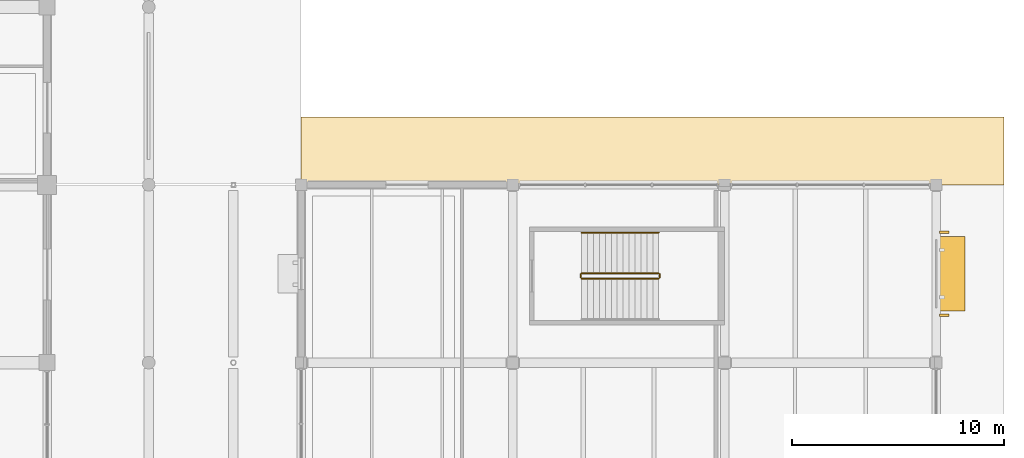
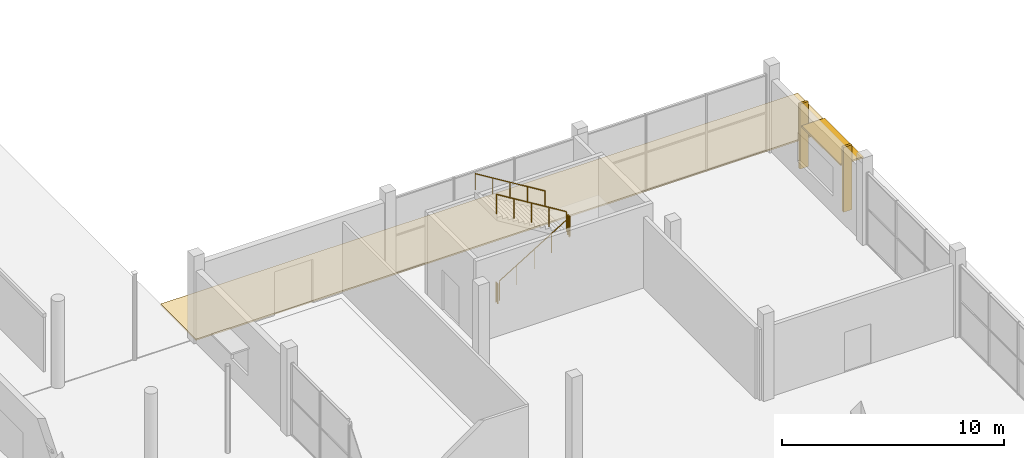
# One storey, part 127 of 130: 5 railings, 3 shading devices, 1 covering.
"""IFC4 building model written with IfcOpenShell, lengths in metres."""

from ifc_helpers import new_model, si_unit, direction, frame, origin, origin_2d, place, context, subcontext, project, spatial, polyline, rectangle, circle, outline, extrude, material, layer, layer_set, type_object, element, save


model = new_model("IFC4")

# Units and contexts
model_context = context("Model", 3, precision=1e-05, world=origin(), true_north=direction((0.0, 1.0)))
body_context = subcontext(model_context, "Body", "Model", "MODEL_VIEW")
ifc_project = project(units=[si_unit("LENGTHUNIT", "METRE"), si_unit("AREAUNIT", "SQUARE_METRE"), si_unit("VOLUMEUNIT", "CUBIC_METRE"), si_unit("PLANEANGLEUNIT", "RADIAN"), si_unit("MASSUNIT", "GRAM", prefix="KILO"), si_unit("THERMODYNAMICTEMPERATUREUNIT", "KELVIN")], contexts=[model_context])

# Site, building, storey
site_placement = place(None, origin())
site = spatial("IfcSite", under=ifc_project, at=site_placement, CompositionType="ELEMENT")
building_placement = place(site_placement, origin())
building = spatial("IfcBuilding", under=site, at=building_placement, Name="Nduvali Passage Aquatics Centre", CompositionType="ELEMENT")
storey_placement = place(building_placement, origin())
storey = spatial("IfcBuildingStorey", under=building, at=storey_placement, Name="L00", CompositionType="ELEMENT", Elevation=0.0)

# Shading devices
ifc_material_1 = material(Name="Glulam GL28h", Category="wood")
shading_device_type_1 = type_object("IfcShadingDeviceType", Name="ENV-SHD-FIN1", PredefinedType="USERDEFINED", material=ifc_material_1)
for number, where, z_axis, x_axis, name in (
    (1, (168.375, 86.237548828125, 0.2001953125), (0.0, 0.0, 1.0), (0.0, 1.0, 0.0), "L00 Vertical Glulam Facade Fin 0134"),
    (2, (168.375, 90.16259765625, 0.2001953125), (0.0, 0.0, 1.0), (0.0, 1.0, 0.0), "L00 Vertical Glulam Facade Fin 0135"),
):
    element("IfcShadingDevice", number, at=place(storey_placement, frame(where, z_axis=z_axis, x_axis=x_axis)), inside=storey, type_object=shading_device_type_1, Name=name, ObjectType="VERTICAL FIN", PredefinedType="USERDEFINED", context=body_context, shape_type="SweptSolid", body=[
        extrude(rectangle(XDim=0.1201171875, YDim=0.43994140625, at=origin_2d()), origin(), (0.0, 0.0, 1.0), 3.576416015625),
    ])
ifc_material_2 = material(Name="Aluminium EN AW-6063 T6", Category="aluminium")
ifc_layer_1 = layer(ifc_material_2, 0.090087890625, Name="Aluminium EN AW-6063 T6")
ifc_layer_set_1 = layer_set([ifc_layer_1], Name="Aluminium EN AW-6063 T6")
shading_device_type_2 = type_object("IfcShadingDeviceType", Name="ENV-SHD-SUN1", PredefinedType="AWNING", material=ifc_layer_set_1)
shading_device_placement = place(storey_placement, frame((168.75, 88.199951171875, 2.60498046875), z_axis=(0.0, 0.0, 1.0), x_axis=(0.0, 1.0, 0.0)))
element("IfcShadingDevice", 3, at=shading_device_placement, inside=storey, type_object=shading_device_type_2, Name="L00 Horizontal Monsoon Sunshade 0133", PredefinedType="AWNING", context=body_context, shape_type="SweptSolid", body=[
    extrude(rectangle(XDim=3.5, YDim=1.199951171875, at=origin_2d()), origin(), (0.0, 0.0, 1.0), 0.090087890625),
])

# Railings
ifc_material_3 = material(Name="Stainless steel balustrade", Category="steel")
railing_type_1 = type_object("IfcRailingType", Name="INT-RLG-GRD110", PredefinedType="GUARDRAIL", material=ifc_material_3)
railing_1_placement = place(storey_placement, frame((151.25, 87.969970703125, 0.17138671875)))
element("IfcRailing", 4, at=railing_1_placement, inside=storey, type_object=railing_type_1, Name="L00 ST8 stair guard 1", PredefinedType="GUARDRAIL", context=body_context, shape_type="SweptSolid", body=[
    extrude(circle(Radius=0.02392578125, at=origin_2d()), frame((0.0, 0.0, 1.076171875), z_axis=(0.852850264322, 0.0, 0.5221555579), x_axis=(0.0, 1.0, 0.0)), (0.0, 0.0, 1.0), 4.267822265625),
    extrude(circle(Radius=0.02099609375, at=origin_2d()), origin(), (0.0, 0.0, 1.0), 1.052001953125),
    extrude(circle(Radius=0.02099609375, at=origin_2d()), frame((0.909912109375, 0.0, 0.55712890625)), (0.0, 0.0, 1.0), 1.052001953125),
    extrude(circle(Radius=0.02099609375, at=origin_2d()), frame((1.81982421875, 0.0, 1.1142578125)), (0.0, 0.0, 1.0), 1.052001953125),
    extrude(circle(Radius=0.02099609375, at=origin_2d()), frame((2.72998046875, 0.0, 1.67138671875)), (0.0, 0.0, 1.0), 1.052001953125),
    extrude(circle(Radius=0.02099609375, at=origin_2d()), frame((3.639892578125, 0.0, 2.228515625)), (0.0, 0.0, 1.0), 1.052001953125),
])
railing_2_placement = place(storey_placement, frame((154.93994140625, 88.02001953125, 2.39990234375)))
element("IfcRailing", 5, at=railing_2_placement, inside=storey, type_object=railing_type_1, Name="L00 ST8 stair guard 2", PredefinedType="GUARDRAIL", context=body_context, shape_type="SweptSolid", body=[
    extrude(circle(Radius=0.02392578125, at=origin_2d()), frame((0.0, 0.0, 1.076171875), z_axis=(0.0, 1.0, 0.0), x_axis=(-1.0, 0.0, 0.0)), (0.0, 0.0, 1.0), 0.14990234375),
    extrude(circle(Radius=0.02099609375, at=origin_2d()), origin(), (0.0, 0.0, 1.0), 1.052001953125),
    extrude(circle(Radius=0.02099609375, at=origin_2d()), frame((0.0, 0.14990234375, 0.0)), (0.0, 0.0, 1.0), 1.052001953125),
])
railing_3_placement = place(storey_placement, frame((154.889892578125, 88.219970703125, 2.571533203125)))
element("IfcRailing", 6, at=railing_3_placement, inside=storey, type_object=railing_type_1, Name="L00 ST8 stair guard 3", PredefinedType="GUARDRAIL", context=body_context, shape_type="SweptSolid", body=[
    extrude(circle(Radius=0.02392578125, at=origin_2d()), frame((0.0, 0.0, 1.076171875), z_axis=(-0.852850264322, 0.0, 0.5221555579), x_axis=(0.0, -1.0, 0.0)), (0.0, 0.0, 1.0), 4.267822265625),
    extrude(circle(Radius=0.02099609375, at=origin_2d()), origin(), (0.0, 0.0, 1.0), 1.052001953125),
    extrude(circle(Radius=0.02099609375, at=origin_2d()), frame((-0.909912109375, 0.0, 0.55712890625)), (0.0, 0.0, 1.0), 1.052001953125),
    extrude(circle(Radius=0.02099609375, at=origin_2d()), frame((-1.81982421875, 0.0, 1.1142578125)), (0.0, 0.0, 1.0), 1.052001953125),
    extrude(circle(Radius=0.02099609375, at=origin_2d()), frame((-2.72998046875, 0.0, 1.67138671875)), (0.0, 0.0, 1.0), 1.052001953125),
    extrude(circle(Radius=0.02099609375, at=origin_2d()), frame((-3.639892578125, 0.0, 2.228515625)), (0.0, 0.0, 1.0), 1.052001953125),
])
railing_4_placement = place(storey_placement, frame((151.199951171875, 88.02001953125, 0.0)))
element("IfcRailing", 7, at=railing_4_placement, inside=storey, type_object=railing_type_1, Name="L00 ST8 stair guard 4", PredefinedType="GUARDRAIL", context=body_context, shape_type="SweptSolid", body=[
    extrude(circle(Radius=0.02392578125, at=origin_2d()), frame((0.0, 0.0, 1.076171875), z_axis=(0.0, 1.0, 0.0), x_axis=(-1.0, 0.0, 0.0)), (0.0, 0.0, 1.0), 0.14990234375),
    extrude(circle(Radius=0.02099609375, at=origin_2d()), origin(), (0.0, 0.0, 1.0), 1.052001953125),
    extrude(circle(Radius=0.02099609375, at=origin_2d()), frame((0.0, 0.14990234375, 0.0)), (0.0, 0.0, 1.0), 1.052001953125),
])
railing_type_2 = type_object("IfcRailingType", Name="INT-RLG-HND90", PredefinedType="HANDRAIL", material=ifc_material_3)
railing_5_placement = place(storey_placement, frame((154.889892578125, 90.139892578125, 2.746337890625)))
element("IfcRailing", 8, at=railing_5_placement, inside=storey, type_object=railing_type_2, Name="L00 ST8 stair handrail 2", PredefinedType="HANDRAIL", context=body_context, shape_type="SweptSolid", body=[
    extrude(circle(Radius=0.02392578125, at=origin_2d()), frame((0.0, 0.0, 0.8759765625), z_axis=(-0.852850264322, 0.0, 0.5221555579), x_axis=(0.0, -1.0, 0.0)), (0.0, 0.0, 1.0), 4.267822265625),
    extrude(circle(Radius=0.02099609375, at=origin_2d()), origin(), (0.0, 0.0, 1.0), 0.851806640625),
    extrude(circle(Radius=0.02099609375, at=origin_2d()), frame((-0.909912109375, 0.0, 0.55712890625)), (0.0, 0.0, 1.0), 0.851806640625),
    extrude(circle(Radius=0.02099609375, at=origin_2d()), frame((-1.81982421875, 0.0, 1.1142578125)), (0.0, 0.0, 1.0), 0.851806640625),
    extrude(circle(Radius=0.02099609375, at=origin_2d()), frame((-2.72998046875, 0.0, 1.67138671875)), (0.0, 0.0, 1.0), 0.851806640625),
    extrude(circle(Radius=0.02099609375, at=origin_2d()), frame((-3.639892578125, 0.0, 2.228515625)), (0.0, 0.0, 1.0), 0.851806640625),
])

# Covering
ifc_material_4 = material(Name="Coral-stone masonry blockwork", Category="masonry")
ifc_layer_2 = layer(ifc_material_4, 0.080078125, Name="Coral-stone masonry blockwork")
ifc_layer_set_2 = layer_set([ifc_layer_2], Name="Coral-stone masonry blockwork")
covering_type = type_object("IfcCoveringType", Name="STR-COV-PAV80", PredefinedType="USERDEFINED", material=ifc_layer_set_2)
covering_placement = place(storey_placement, frame((0.0, 0.0, -0.080078125)))
element("IfcCovering", 9, at=covering_placement, inside=storey, type_object=covering_type, Name="L00 East Pavilion North Cafe Paving", ObjectType="PAVING", PredefinedType="USERDEFINED", context=body_context, shape_type="SweptSolid", body=[
    extrude(outline(polyline([(138.0, 92.39990234375), (171.199951171875, 92.39990234375), (171.199951171875, 95.60009765625), (138.0, 95.60009765625), (138.0, 92.39990234375)])), origin(), (0.0, 0.0, 1.0), 0.080078125),
])

save(model, "model.ifc")
